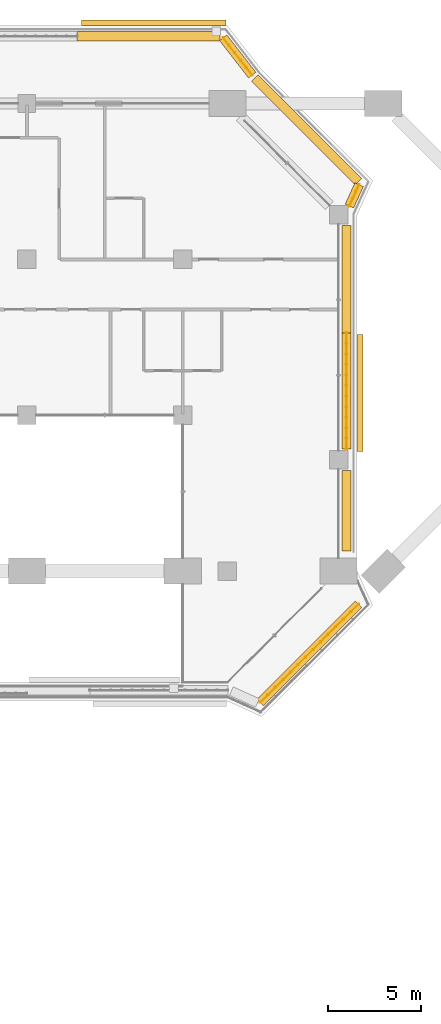
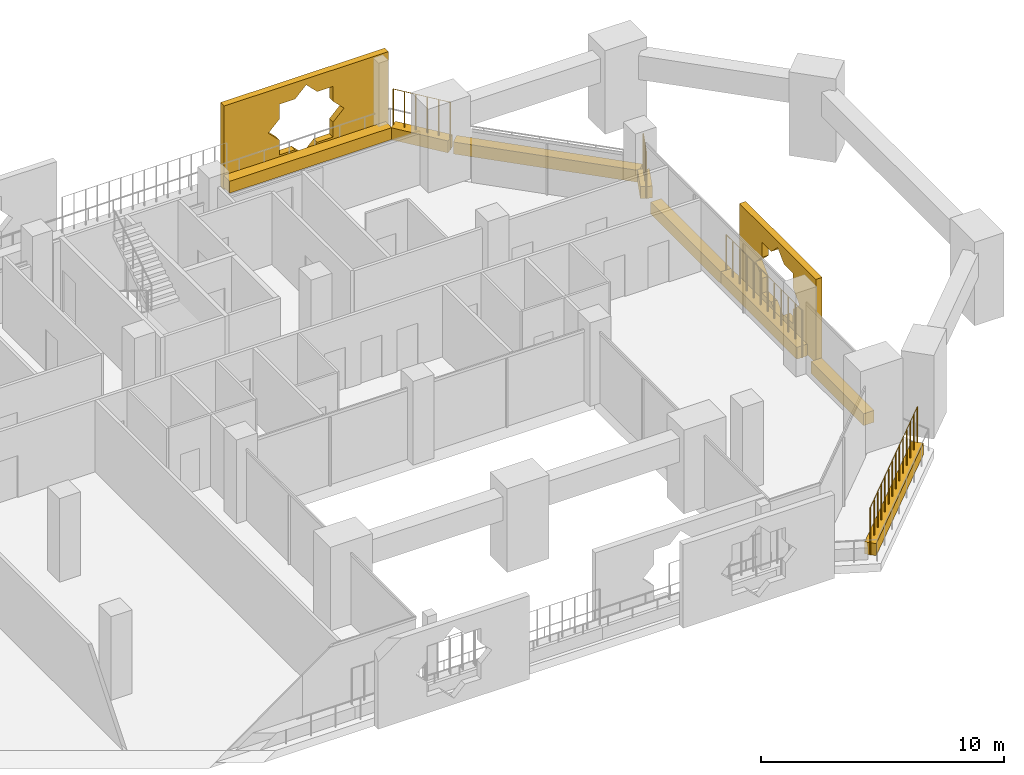
# One storey, part 23 of 23: 10 coverings, 4 railings.
"""IFC4 building model written with IfcOpenShell, lengths in metres."""

from ifc_helpers import new_model, si_unit, direction, frame, origin, origin_2d, place, context, subcontext, project, spatial, polyline, rectangle, circle, outline, extrude, material, material_profile, profile_set, type_object, element, save


model = new_model("IFC4")

# Units and contexts
model_context = context("Model", 3, precision=1e-05, world=origin(), true_north=direction((0.0, 1.0)))
body_context = subcontext(model_context, "Body", "Model", "MODEL_VIEW")
ifc_project = project(units=[si_unit("LENGTHUNIT", "METRE"), si_unit("AREAUNIT", "SQUARE_METRE"), si_unit("VOLUMEUNIT", "CUBIC_METRE"), si_unit("PLANEANGLEUNIT", "RADIAN"), si_unit("MASSUNIT", "GRAM", prefix="KILO")], contexts=[model_context])

# Site, building, storey
site_placement = place(None, origin())
site = spatial("IfcSite", under=ifc_project, at=site_placement, CompositionType="ELEMENT")
building_placement = place(site_placement, origin())
building = spatial("IfcBuilding", under=site, at=building_placement, Name="Kawkab Arch Medical Tower", CompositionType="ELEMENT")
storey_placement = place(building_placement, frame((0.0, 0.0, 166.800048828125)))
storey = spatial("IfcBuildingStorey", under=building, at=storey_placement, Name="L38", CompositionType="ELEMENT", Elevation=166.800048828125)

# Coverings
ifc_material_1 = material(Name="Bronze anodised aluminium mashrabiya panel, eight-point star pattern", Category="aluminium")
ifc_material_profile_1 = material_profile(ifc_material_1, outline(polyline([(-3.14990234375, -2.10009765625), (3.14990234375, -2.10009765625), (3.14990234375, 2.10009765625), (-3.14990234375, 2.10009765625), (-3.14990234375, -2.10009765625)]), holes=[polyline([(1.800048828125, 0.0), (1.272705078125, 0.527099609375), (1.272705078125, 1.272705078125), (0.527099609375, 1.272705078125), (0.0, 1.800048828125), (-0.527099609375, 1.272705078125), (-1.272705078125, 1.272705078125), (-1.272705078125, 0.527099609375), (-1.800048828125, 0.0), (-1.272705078125, -0.527099609375), (-1.272705078125, -1.272705078125), (-0.527099609375, -1.272705078125), (0.0, -1.800048828125), (0.527099609375, -1.272705078125), (1.272705078125, -1.272705078125), (1.272705078125, -0.527099609375), (1.800048828125, 0.0)])]), Name="Mashrabiya panel 6300x4200")
ifc_profile_set_1 = profile_set([ifc_material_profile_1], Name="Bronze anodised aluminium mashrabiya panel, eight-point star pattern")
covering_type_1 = type_object("IfcCoveringType", Name="Mashrabiya panel 6300 x 4200", PredefinedType="USERDEFINED", material=ifc_profile_set_1)
covering_1_placement = place(storey_placement, frame((68.199951171875, -15.60009765625, 1.699951171875), z_axis=(1.0, 0.0, 0.0), x_axis=(0.0, 1.0, 0.0)))
element("IfcCovering", 1, at=covering_1_placement, inside=storey, type_object=covering_type_1, Name="Mashrabiya panel L38.LOG-01-02.7", ObjectType="SCREEN", PredefinedType="USERDEFINED", context=body_context, shape_type="SweptSolid", body=[
    extrude(outline(polyline([(-3.14990234375, -2.10009765625), (3.14990234375, -2.10009765625), (3.14990234375, 2.10009765625), (-3.14990234375, 2.10009765625), (-3.14990234375, -2.10009765625)]), holes=[polyline([(1.800048828125, 0.0), (1.272705078125, 0.527099609375), (1.272705078125, 1.272705078125), (0.527099609375, 1.272705078125), (0.0, 1.800048828125), (-0.527099609375, 1.272705078125), (-1.272705078125, 1.272705078125), (-1.272705078125, 0.527099609375), (-1.800048828125, 0.0), (-1.272705078125, -0.527099609375), (-1.272705078125, -1.272705078125), (-0.527099609375, -1.272705078125), (0.0, -1.800048828125), (0.527099609375, -1.272705078125), (1.272705078125, -1.272705078125), (1.272705078125, -0.527099609375), (1.800048828125, 0.0)])]), origin(), (0.0, 0.0, 1.0), 0.300048828125),
])
ifc_material_2 = material(Name="Bronze anodised aluminium mashrabiya panel, eight-point star pattern", Category="aluminium")
ifc_material_profile_2 = material_profile(ifc_material_2, outline(polyline([(-3.89990234375, -2.10009765625), (3.89990234375, -2.10009765625), (3.89990234375, 2.10009765625), (-3.89990234375, 2.10009765625), (-3.89990234375, -2.10009765625)]), holes=[polyline([(1.800048828125, 0.0), (1.272705078125, 0.527099609375), (1.272705078125, 1.272705078125), (0.527099609375, 1.272705078125), (0.0, 1.800048828125), (-0.527099609375, 1.272705078125), (-1.272705078125, 1.272705078125), (-1.272705078125, 0.527099609375), (-1.800048828125, 0.0), (-1.272705078125, -0.527099609375), (-1.272705078125, -1.272705078125), (-0.527099609375, -1.272705078125), (0.0, -1.800048828125), (0.527099609375, -1.272705078125), (1.272705078125, -1.272705078125), (1.272705078125, -0.527099609375), (1.800048828125, 0.0)])]), Name="Mashrabiya panel 7800x4200")
ifc_profile_set_2 = profile_set([ifc_material_profile_2], Name="Bronze anodised aluminium mashrabiya panel, eight-point star pattern")
covering_type_2 = type_object("IfcCoveringType", Name="Mashrabiya panel 7800 x 4200", PredefinedType="USERDEFINED", material=ifc_profile_set_2)
covering_2_placement = place(storey_placement, frame((57.23291015625, 4.199951171875, 1.699951171875), z_axis=(0.0, 1.0, 0.0), x_axis=(-1.0, 0.0, 0.0)))
element("IfcCovering", 2, at=covering_2_placement, inside=storey, type_object=covering_type_2, Name="Mashrabiya panel L38.LOG-01-02.6", ObjectType="SCREEN", PredefinedType="USERDEFINED", context=body_context, shape_type="SweptSolid", body=[
    extrude(outline(polyline([(-3.89990234375, -2.10009765625), (3.89990234375, -2.10009765625), (3.89990234375, 2.10009765625), (-3.89990234375, 2.10009765625), (-3.89990234375, -2.10009765625)]), holes=[polyline([(1.800048828125, 0.0), (1.272705078125, 0.527099609375), (1.272705078125, 1.272705078125), (0.527099609375, 1.272705078125), (0.0, 1.800048828125), (-0.527099609375, 1.272705078125), (-1.272705078125, 1.272705078125), (-1.272705078125, 0.527099609375), (-1.800048828125, 0.0), (-1.272705078125, -0.527099609375), (-1.272705078125, -1.272705078125), (-0.527099609375, -1.272705078125), (0.0, -1.800048828125), (0.527099609375, -1.272705078125), (1.272705078125, -1.272705078125), (1.272705078125, -0.527099609375), (1.800048828125, 0.0)])]), origin(), (0.0, 0.0, 1.0), 0.300048828125),
])
ifc_material_3 = material(Name="Planting soil in a precast trough", Category="concrete")
ifc_material_profile_3 = material_profile(ifc_material_3, rectangle(XDim=0.5, YDim=0.60009765625, at=origin_2d()), Name="Trough 500x600")
ifc_profile_set_3 = profile_set([ifc_material_profile_3], Name="Planting soil in a precast trough")
covering_type_3 = type_object("IfcCoveringType", Name="Planter trough 500 x 600", PredefinedType="USERDEFINED", material=ifc_profile_set_3)
covering_3_placement = place(storey_placement, frame((53.112060546875, 3.6201171875, 0.300048828125), z_axis=(1.0, 0.0, 0.0), x_axis=(0.0, 1.0, 0.0)))
element("IfcCovering", 3, at=covering_3_placement, inside=storey, type_object=covering_type_3, Name="Planter L38.LOG-01-02.26", ObjectType="PLANTER", PredefinedType="USERDEFINED", context=body_context, shape_type="SweptSolid", body=[
    extrude(rectangle(XDim=0.5, YDim=0.60009765625, at=origin_2d()), origin(), (0.0, 0.0, 1.0), 7.703857421875),
])
covering_4_placement = place(storey_placement, frame((60.97802734375, 3.541015625, 0.300048828125), z_axis=(0.61404021143, -0.789274742246, 0.0), x_axis=(0.789274742246, 0.61404021143, 0.0)))
element("IfcCovering", 4, at=covering_4_placement, inside=storey, type_object=covering_type_3, Name="Planter L38.LOG-01-02.27", ObjectType="PLANTER", PredefinedType="USERDEFINED", context=body_context, shape_type="SweptSolid", body=[
    extrude(rectangle(XDim=0.5, YDim=0.60009765625, at=origin_2d()), origin(), (0.0, 0.0, 1.0), 2.54541015625),
])
covering_5_placement = place(storey_placement, frame((62.673095703125, 1.383056640625, 0.300048828125), z_axis=(0.707091367247, -0.70712219479, 0.0), x_axis=(0.70712219479, 0.707091367247, 0.0)))
element("IfcCovering", 5, at=covering_5_placement, inside=storey, type_object=covering_type_3, Name="Planter L38.LOG-01-02.28", ObjectType="PLANTER", PredefinedType="USERDEFINED", context=body_context, shape_type="SweptSolid", body=[
    extrude(rectangle(XDim=0.5, YDim=0.60009765625, at=origin_2d()), origin(), (0.0, 0.0, 1.0), 7.919677734375),
])
covering_6_placement = place(storey_placement, frame((68.302001953125, -4.37890625, 0.300048828125), z_axis=(-0.415089762627, -0.909780461959, 0.0), x_axis=(0.909780461959, -0.415089762627, 0.0)))
element("IfcCovering", 6, at=covering_6_placement, inside=storey, type_object=covering_type_3, Name="Planter L38.LOG-01-02.29", ObjectType="PLANTER", PredefinedType="USERDEFINED", context=body_context, shape_type="SweptSolid", body=[
    extrude(rectangle(XDim=0.5, YDim=0.60009765625, at=origin_2d()), origin(), (0.0, 0.0, 1.0), 1.257568359375),
])
covering_7_placement = place(storey_placement, frame((67.6201171875, -6.580078125, 0.300048828125), z_axis=(0.0, -1.0, 0.0), x_axis=(1.0, 0.0, 0.0)))
element("IfcCovering", 7, at=covering_7_placement, inside=storey, type_object=covering_type_3, Name="Planter L38.LOG-01-02.30", ObjectType="PLANTER", PredefinedType="USERDEFINED", context=body_context, shape_type="SweptSolid", body=[
    extrude(rectangle(XDim=0.5, YDim=0.60009765625, at=origin_2d()), origin(), (0.0, 0.0, 1.0), 5.77783203125),
])
covering_8_placement = place(storey_placement, frame((67.6201171875, -12.35791015625, 0.300048828125), z_axis=(0.0, -1.0, 0.0), x_axis=(1.0, 0.0, 0.0)))
element("IfcCovering", 8, at=covering_8_placement, inside=storey, type_object=covering_type_3, Name="Planter L38.LOG-01-02.31", ObjectType="PLANTER", PredefinedType="USERDEFINED", context=body_context, shape_type="SweptSolid", body=[
    extrude(rectangle(XDim=0.5, YDim=0.60009765625, at=origin_2d()), origin(), (0.0, 0.0, 1.0), 6.26220703125),
])
covering_9_placement = place(storey_placement, frame((67.6201171875, -19.780029296875, 0.300048828125), z_axis=(0.0, -1.0, 0.0), x_axis=(1.0, 0.0, 0.0)))
element("IfcCovering", 9, at=covering_9_placement, inside=storey, type_object=covering_type_3, Name="Planter L38.LOG-01-02.32", ObjectType="PLANTER", PredefinedType="USERDEFINED", context=body_context, shape_type="SweptSolid", body=[
    extrude(rectangle(XDim=0.5, YDim=0.60009765625, at=origin_2d()), origin(), (0.0, 0.0, 1.0), 4.340087890625),
])
covering_10_placement = place(storey_placement, frame((68.27294921875, -26.98291015625, 0.300048828125), z_axis=(-0.707106781187, -0.707106781187, 0.0), x_axis=(0.707106781187, -0.707106781187, 0.0)))
element("IfcCovering", 10, at=covering_10_placement, inside=storey, type_object=covering_type_3, Name="Planter L38.LOG-01-02.33", ObjectType="PLANTER", PredefinedType="USERDEFINED", context=body_context, shape_type="SweptSolid", body=[
    extrude(rectangle(XDim=0.5, YDim=0.60009765625, at=origin_2d()), origin(), (0.0, 0.0, 1.0), 7.481201171875),
])

# Railings
ifc_material_4 = material(Name="Bronze anodised aluminium trellis for climbing plants", Category="aluminium")
railing_type = type_object("IfcRailingType", Name="Planting trellis 2400", PredefinedType="USERDEFINED", material=ifc_material_4)
railing_1_placement = place(storey_placement, frame((60.97802734375, 3.541015625, 0.0)))
element("IfcRailing", 11, at=railing_1_placement, inside=storey, type_object=railing_type, Name="Planting trellis L38.LOG-01-02.27", ObjectType="TRELLIS", PredefinedType="USERDEFINED", context=body_context, shape_type="SweptSolid", body=[
    extrude(circle(Radius=0.01513671875, at=origin_2d()), frame((0.0, 0.0, 2.384765625), z_axis=(0.61404021143, -0.789274742246, 0.0), x_axis=(0.789274742246, 0.61404021143, 0.0)), (0.0, 0.0, 1.0), 2.54541015625),
    extrude(circle(Radius=0.030029296875, at=origin_2d()), origin(), (0.0, 0.0, 1.0), 2.369873046875),
    extrude(circle(Radius=0.030029296875, at=origin_2d()), frame((0.3125, -0.40185546875, 0.0)), (0.0, 0.0, 1.0), 2.369873046875),
    extrude(circle(Radius=0.030029296875, at=origin_2d()), frame((0.625244140625, -0.8037109375, 0.0)), (0.0, 0.0, 1.0), 2.369873046875),
    extrude(circle(Radius=0.030029296875, at=origin_2d()), frame((0.937744140625, -1.205322265625, 0.0)), (0.0, 0.0, 1.0), 2.369873046875),
    extrude(circle(Radius=0.030029296875, at=origin_2d()), frame((1.25048828125, -1.607177734375, 0.0)), (0.0, 0.0, 1.0), 2.369873046875),
    extrude(circle(Radius=0.030029296875, at=origin_2d()), frame((1.56298828125, -2.009033203125, 0.0)), (0.0, 0.0, 1.0), 2.369873046875),
])
railing_2_placement = place(storey_placement, frame((68.302001953125, -4.37890625, 0.0)))
element("IfcRailing", 12, at=railing_2_placement, inside=storey, type_object=railing_type, Name="Planting trellis L38.LOG-01-02.29", ObjectType="TRELLIS", PredefinedType="USERDEFINED", context=body_context, shape_type="SweptSolid", body=[
    extrude(circle(Radius=0.01513671875, at=origin_2d()), frame((0.0, 0.0, 2.384765625), z_axis=(-0.415089762627, -0.909780461959, 0.0), x_axis=(0.909780461959, -0.415089762627, 0.0)), (0.0, 0.0, 1.0), 1.257568359375),
    extrude(circle(Radius=0.030029296875, at=origin_2d()), origin(), (0.0, 0.0, 1.0), 2.369873046875),
    extrude(circle(Radius=0.030029296875, at=origin_2d()), frame((-0.174072265625, -0.38134765625, 0.0)), (0.0, 0.0, 1.0), 2.369873046875),
    extrude(circle(Radius=0.030029296875, at=origin_2d()), frame((-0.347900390625, -0.7626953125, 0.0)), (0.0, 0.0, 1.0), 2.369873046875),
    extrude(circle(Radius=0.030029296875, at=origin_2d()), frame((-0.52197265625, -1.14404296875, 0.0)), (0.0, 0.0, 1.0), 2.369873046875),
])
railing_3_placement = place(storey_placement, frame((67.6201171875, -12.35791015625, 0.0)))
element("IfcRailing", 13, at=railing_3_placement, inside=storey, type_object=railing_type, Name="Planting trellis L38.LOG-01-02.31", ObjectType="TRELLIS", PredefinedType="USERDEFINED", context=body_context, shape_type="SweptSolid", body=[
    extrude(circle(Radius=0.01513671875, at=origin_2d()), frame((0.0, 0.0, 2.384765625), z_axis=(0.0, -1.0, 0.0), x_axis=(1.0, 0.0, 0.0)), (0.0, 0.0, 1.0), 6.26220703125),
    extrude(circle(Radius=0.030029296875, at=origin_2d()), origin(), (0.0, 0.0, 1.0), 2.369873046875),
    extrude(circle(Radius=0.030029296875, at=origin_2d()), frame((0.0, -0.5693359375, 0.0)), (0.0, 0.0, 1.0), 2.369873046875),
    extrude(circle(Radius=0.030029296875, at=origin_2d()), frame((0.0, -1.138671875, 0.0)), (0.0, 0.0, 1.0), 2.369873046875),
    extrude(circle(Radius=0.030029296875, at=origin_2d()), frame((0.0, -1.707763671875, 0.0)), (0.0, 0.0, 1.0), 2.369873046875),
    extrude(circle(Radius=0.030029296875, at=origin_2d()), frame((0.0, -2.277099609375, 0.0)), (0.0, 0.0, 1.0), 2.369873046875),
    extrude(circle(Radius=0.030029296875, at=origin_2d()), frame((0.0, -2.846435546875, 0.0)), (0.0, 0.0, 1.0), 2.369873046875),
    extrude(circle(Radius=0.030029296875, at=origin_2d()), frame((0.0, -3.415771484375, 0.0)), (0.0, 0.0, 1.0), 2.369873046875),
    extrude(circle(Radius=0.030029296875, at=origin_2d()), frame((0.0, -3.985107421875, 0.0)), (0.0, 0.0, 1.0), 2.369873046875),
    extrude(circle(Radius=0.030029296875, at=origin_2d()), frame((0.0, -4.554443359375, 0.0)), (0.0, 0.0, 1.0), 2.369873046875),
    extrude(circle(Radius=0.030029296875, at=origin_2d()), frame((0.0, -5.12353515625, 0.0)), (0.0, 0.0, 1.0), 2.369873046875),
    extrude(circle(Radius=0.030029296875, at=origin_2d()), frame((0.0, -5.69287109375, 0.0)), (0.0, 0.0, 1.0), 2.369873046875),
    extrude(circle(Radius=0.030029296875, at=origin_2d()), frame((0.0, -6.26220703125, 0.0)), (0.0, 0.0, 1.0), 2.369873046875),
])
railing_4_placement = place(storey_placement, frame((68.27294921875, -26.98291015625, 0.0)))
element("IfcRailing", 14, at=railing_4_placement, inside=storey, type_object=railing_type, Name="Planting trellis L38.LOG-01-02.33", ObjectType="TRELLIS", PredefinedType="USERDEFINED", context=body_context, shape_type="SweptSolid", body=[
    extrude(circle(Radius=0.01513671875, at=origin_2d()), frame((0.0, 0.0, 2.384765625), z_axis=(-0.707106781187, -0.707106781187, 0.0), x_axis=(0.707106781187, -0.707106781187, 0.0)), (0.0, 0.0, 1.0), 7.481201171875),
    extrude(circle(Radius=0.030029296875, at=origin_2d()), origin(), (0.0, 0.0, 1.0), 2.369873046875),
    extrude(circle(Radius=0.030029296875, at=origin_2d()), frame((-0.406982421875, -0.406982421875, 0.0)), (0.0, 0.0, 1.0), 2.369873046875),
    extrude(circle(Radius=0.030029296875, at=origin_2d()), frame((-0.81396484375, -0.81396484375, 0.0)), (0.0, 0.0, 1.0), 2.369873046875),
    extrude(circle(Radius=0.030029296875, at=origin_2d()), frame((-1.220703125, -1.220703125, 0.0)), (0.0, 0.0, 1.0), 2.369873046875),
    extrude(circle(Radius=0.030029296875, at=origin_2d()), frame((-1.627685546875, -1.627685546875, 0.0)), (0.0, 0.0, 1.0), 2.369873046875),
    extrude(circle(Radius=0.030029296875, at=origin_2d()), frame((-2.03466796875, -2.03466796875, 0.0)), (0.0, 0.0, 1.0), 2.369873046875),
    extrude(circle(Radius=0.030029296875, at=origin_2d()), frame((-2.441650390625, -2.441650390625, 0.0)), (0.0, 0.0, 1.0), 2.369873046875),
    extrude(circle(Radius=0.030029296875, at=origin_2d()), frame((-2.848388671875, -2.848388671875, 0.0)), (0.0, 0.0, 1.0), 2.369873046875),
    extrude(circle(Radius=0.030029296875, at=origin_2d()), frame((-3.25537109375, -3.25537109375, 0.0)), (0.0, 0.0, 1.0), 2.369873046875),
    extrude(circle(Radius=0.030029296875, at=origin_2d()), frame((-3.662353515625, -3.662353515625, 0.0)), (0.0, 0.0, 1.0), 2.369873046875),
    extrude(circle(Radius=0.030029296875, at=origin_2d()), frame((-4.0693359375, -4.0693359375, 0.0)), (0.0, 0.0, 1.0), 2.369873046875),
    extrude(circle(Radius=0.030029296875, at=origin_2d()), frame((-4.47607421875, -4.47607421875, 0.0)), (0.0, 0.0, 1.0), 2.369873046875),
    extrude(circle(Radius=0.030029296875, at=origin_2d()), frame((-4.883056640625, -4.883056640625, 0.0)), (0.0, 0.0, 1.0), 2.369873046875),
    extrude(circle(Radius=0.030029296875, at=origin_2d()), frame((-5.2900390625, -5.2900390625, 0.0)), (0.0, 0.0, 1.0), 2.369873046875),
])

save(model, "model.ifc")
